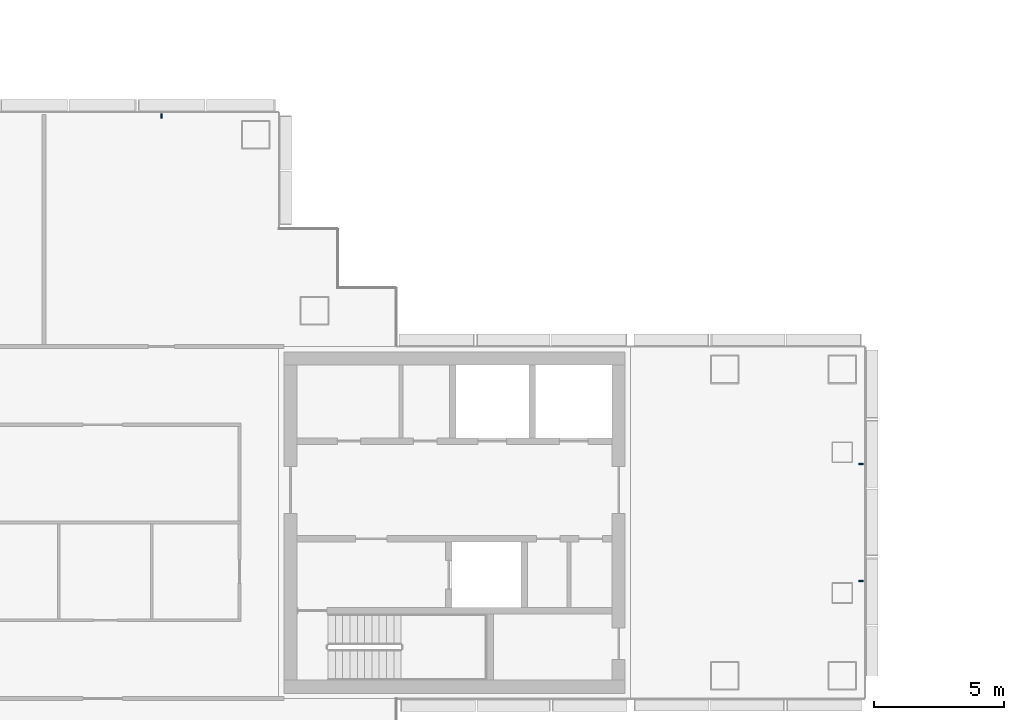
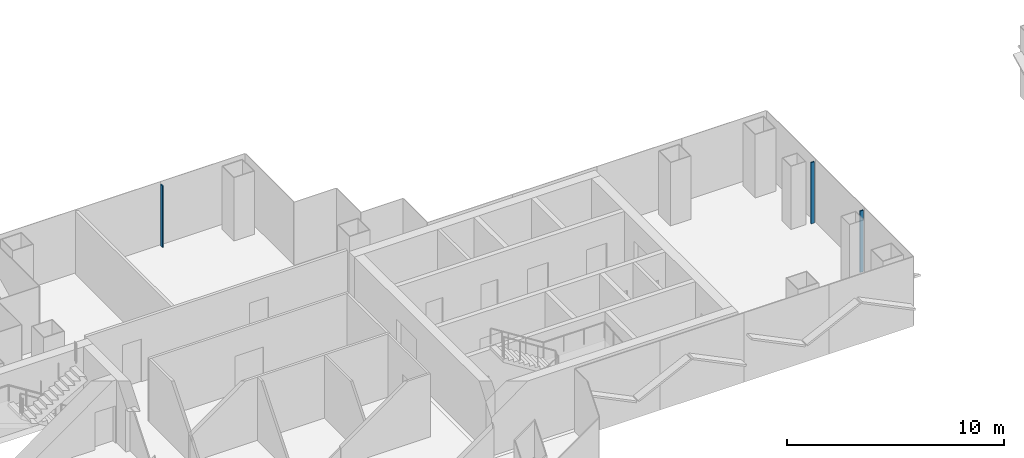
# One storey, part 4 of 16: 3 members, 2 elements without a shape of their own.
"""IFC4 building model written with IfcOpenShell, lengths in metres."""

from ifc_helpers import new_model, si_unit, direction, frame, origin, origin_2d, place, context, subcontext, project, spatial, rectangle, extrude, material, layer, layer_set, material_profile, profile_set, type_object, element, aggregate, save


model = new_model("IFC4")

# Units and contexts
model_context = context("Model", 3, precision=1e-05, world=origin(), true_north=direction((0.0, 1.0)))
body_context = subcontext(model_context, "Body", "Model", "MODEL_VIEW")
ifc_project = project(units=[si_unit("LENGTHUNIT", "METRE"), si_unit("AREAUNIT", "SQUARE_METRE"), si_unit("VOLUMEUNIT", "CUBIC_METRE"), si_unit("PLANEANGLEUNIT", "RADIAN"), si_unit("MASSUNIT", "GRAM", prefix="KILO")], contexts=[model_context])

# Site, building, storey
site_placement = place(None, origin())
site = spatial("IfcSite", under=ifc_project, at=site_placement, CompositionType="ELEMENT")
building_placement = place(site_placement, origin())
building = spatial("IfcBuilding", under=site, at=building_placement, Name="Shamsa Quay Exchange Towers", CompositionType="ELEMENT")
storey_placement = place(building_placement, frame((0.0, 0.0, 166.199951171875)))
storey = spatial("IfcBuildingStorey", under=building, at=storey_placement, Name="L39", CompositionType="ELEMENT", Elevation=166.199951171875)

# Curtain wall, members
ifc_material = material(Name="Aluminium EN AW-6063 T6, black anodised", Category="aluminium")
ifc_layer = layer(ifc_material, 0.280029296875)
ifc_layer_set = layer_set([ifc_layer], Name="CW-1 UNITISED VISION GLASS")
curtain_wall_type = type_object("IfcCurtainWallType", Name="CW-1 UNITISED VISION GLASS", PredefinedType="NOTDEFINED", material=ifc_layer_set)
curtain_wall_1_placement = place(storey_placement, origin())
curtain_wall_1 = element("IfcCurtainWall", 1, at=curtain_wall_1_placement, inside=storey, type_object=curtain_wall_type, Name="CW1 T1-END-U+ L39", PredefinedType="NOTDEFINED")
ifc_material_profile = material_profile(ifc_material, rectangle(XDim=0.179931640625, YDim=0.06005859375, at=origin_2d()), Name="MU60x180")
ifc_profile_set = profile_set([ifc_material_profile], Name="Aluminium EN AW-6063 T6, black anodised")
member_type = type_object("IfcMemberType", Name="CW1 MULLION 60x180", PredefinedType="MULLION", material=ifc_profile_set)
member_1_placement = place(storey_placement, frame((-4.64990234375, -2.25, 0.0), z_axis=(0.0, 0.0, 1.0), x_axis=(-1.0, 0.0, 0.0)))
member_1 = element("IfcMember", 2, at=member_1_placement, type_object=member_type, Name="CW1 mullion", PredefinedType="MULLION", context=body_context, shape_type="SweptSolid", body=[
    extrude(rectangle(XDim=0.179931640625, YDim=0.06005859375, at=origin_2d()), origin(), (0.0, 0.0, 1.0), 3.449951171875),
])
member_2_placement = place(storey_placement, frame((-4.64990234375, 2.25, 0.0), z_axis=(0.0, 0.0, 1.0), x_axis=(-1.0, 0.0, 0.0)))
member_2 = element("IfcMember", 3, at=member_2_placement, type_object=member_type, Name="CW1 mullion", PredefinedType="MULLION", context=body_context, shape_type="SweptSolid", body=[
    extrude(rectangle(XDim=0.179931640625, YDim=0.06005859375, at=origin_2d()), origin(), (0.0, 0.0, 1.0), 3.449951171875),
])
aggregate(curtain_wall_1, [member_1, member_2])

# Curtain wall, member
curtain_wall_2_placement = place(storey_placement, origin())
curtain_wall_2 = element("IfcCurtainWall", 4, at=curtain_wall_2_placement, inside=storey, type_object=curtain_wall_type, Name="CW1 T1-END-V+ L39", PredefinedType="NOTDEFINED")
member_3_placement = place(storey_placement, frame((-31.5, 15.60009765625, 0.0), z_axis=(0.0, 0.0, 1.0), x_axis=(0.0, -1.0, 0.0)))
member_3 = element("IfcMember", 5, at=member_3_placement, type_object=member_type, Name="CW1 mullion", PredefinedType="MULLION", context=body_context, shape_type="SweptSolid", body=[
    extrude(rectangle(XDim=0.179931640625, YDim=0.06005859375, at=origin_2d()), origin(), (0.0, 0.0, 1.0), 3.449951171875),
])
aggregate(curtain_wall_2, [member_3])

save(model, "model.ifc")
